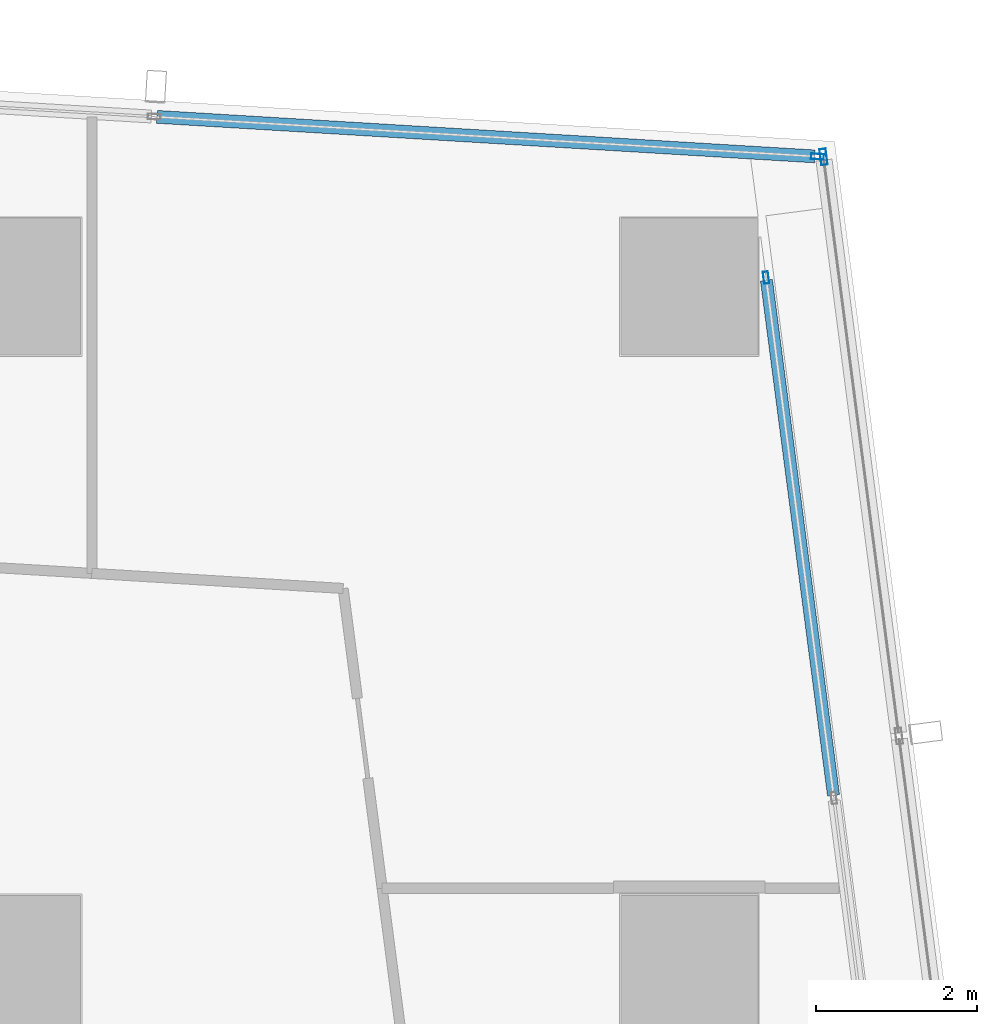
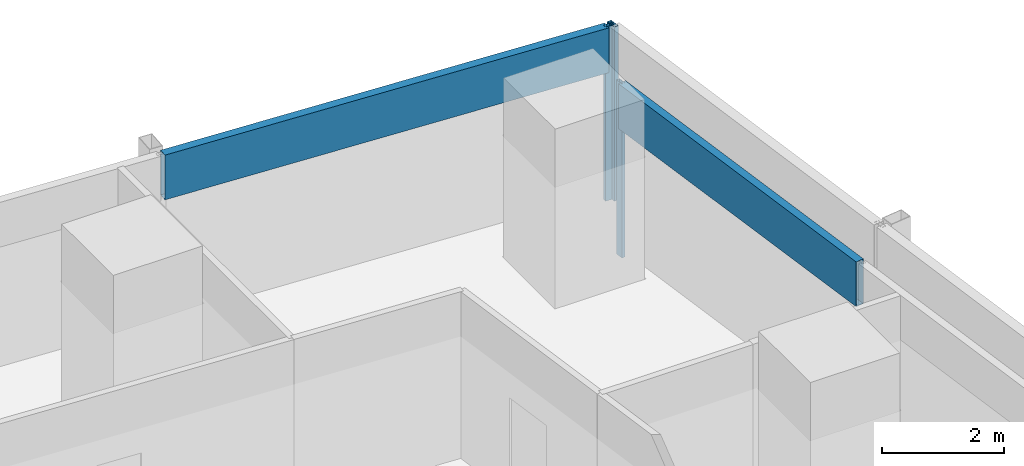
# One storey, part 20 of 40: 5 members, 3 elements without a shape of their own.
"""IFC4 building model written with IfcOpenShell, lengths in metres."""

from ifc_helpers import new_model, si_unit, direction, frame, origin, origin_2d, place, context, subcontext, project, spatial, hollow_rectangle, extrude, material, material_profile, profile_set, type_object, element, aggregate, save


model = new_model("IFC4")

# Units and contexts
model_context = context("Model", 3, precision=1e-05, world=origin(), true_north=direction((0.0, 1.0)))
body_context = subcontext(model_context, "Body", "Model", "MODEL_VIEW")
ifc_project = project(units=[si_unit("LENGTHUNIT", "METRE"), si_unit("AREAUNIT", "SQUARE_METRE"), si_unit("VOLUMEUNIT", "CUBIC_METRE"), si_unit("PLANEANGLEUNIT", "RADIAN"), si_unit("MASSUNIT", "GRAM", prefix="KILO")], contexts=[model_context])

# Site, building, storey
site_placement = place(None, origin())
site = spatial("IfcSite", under=ifc_project, at=site_placement, CompositionType="ELEMENT")
building_placement = place(site_placement, origin())
building = spatial("IfcBuilding", under=site, at=building_placement, Name="Rekha Terrace Tower", CompositionType="ELEMENT")
storey_placement = place(building_placement, frame((0.0, 0.0, 140.300048828125)))
storey = spatial("IfcBuildingStorey", under=building, at=storey_placement, Name="L35", CompositionType="ELEMENT", Elevation=140.300048828125)

# Curtain wall, members
ifc_material_1 = material(Name="Aluminium framing", Category="aluminium")
curtain_wall_type_1 = type_object("IfcCurtainWallType", Name="CW1 double skin inner glazing", PredefinedType="USERDEFINED", material=ifc_material_1)
curtain_wall_1_placement = place(storey_placement, origin())
curtain_wall_1 = element("IfcCurtainWall", 1, at=curtain_wall_1_placement, inside=storey, type_object=curtain_wall_type_1, Name="CW1 double skin inner glazing", ObjectType="DOUBLE SKIN INNER GLAZING", PredefinedType="USERDEFINED")
ifc_material_2 = material(Name="Aluminium mullion section", Category="aluminium")
ifc_material_profile_1 = material_profile(ifc_material_2, hollow_rectangle(XDim=0.06494140625, YDim=0.14990234375, WallThickness=0.00390625, at=origin_2d()), Name="AL RHS 65x150")
ifc_profile_set_1 = profile_set([ifc_material_profile_1], Name="Aluminium mullion section")
member_type_1 = type_object("IfcMemberType", Name="CW1 mullion RHS 65 x 150", PredefinedType="MULLION", material=ifc_profile_set_1)
member_1_placement = place(storey_placement, frame((68.15087890625, 58.910888671875, 0.0), z_axis=(0.0, 0.0, 1.0), x_axis=(-0.991629186237, -0.129118383675, 0.0)))
member_1 = element("IfcMember", 2, at=member_1_placement, type_object=member_type_1, Name="CW1 mullion 3", PredefinedType="MULLION", context=body_context, shape_type="SweptSolid", body=[
    extrude(hollow_rectangle(XDim=0.06494140625, YDim=0.14990234375, WallThickness=0.00390625, at=origin_2d()), origin(), (0.0, 0.0, 1.0), 3.5),
])
ifc_material_3 = material(Name="Insulated aluminium spandrel box", Category="aluminium")
ifc_material_profile_2 = material_profile(ifc_material_3, hollow_rectangle(XDim=0.14990234375, YDim=0.89990234375, WallThickness=0.0029296875, at=origin_2d()), Name="AL SPANDREL BOX 150x900")
ifc_profile_set_2 = profile_set([ifc_material_profile_2], Name="Insulated aluminium spandrel box")
member_type_2 = type_object("IfcMemberType", Name="CW1 spandrel transom 150 x 900", PredefinedType="USERDEFINED", material=ifc_profile_set_2)
member_2_placement = place(storey_placement, frame((68.987060546875, 52.48974609375, 3.050048828125), z_axis=(-0.129102663866, 0.991631232961, 0.0), x_axis=(-0.991631232961, -0.129102663866, 0.0)))
member_2 = element("IfcMember", 3, at=member_2_placement, type_object=member_type_2, Name="CW1 spandrel transom 2", ObjectType="TRANSOM", PredefinedType="USERDEFINED", context=body_context, shape_type="SweptSolid", body=[
    extrude(hollow_rectangle(XDim=0.14990234375, YDim=0.89990234375, WallThickness=0.0029296875, at=origin_2d()), origin(), (0.0, 0.0, 1.0), 6.44287109375),
])
aggregate(curtain_wall_1, [member_1, member_2])

# Curtain wall, member
curtain_wall_type_2 = type_object("IfcCurtainWallType", Name="CW2 double skin outer glazing", PredefinedType="USERDEFINED", material=ifc_material_1)
curtain_wall_2_placement = place(storey_placement, origin())
curtain_wall_2 = element("IfcCurtainWall", 4, at=curtain_wall_2_placement, inside=storey, type_object=curtain_wall_type_2, Name="CW2 double skin outer glazing", ObjectType="DOUBLE SKIN OUTER GLAZING", PredefinedType="USERDEFINED")
ifc_material_profile_3 = material_profile(ifc_material_2, hollow_rectangle(XDim=0.080078125, YDim=0.199951171875, WallThickness=0.00390625, at=origin_2d()), Name="AL RHS 80x200")
ifc_profile_set_3 = profile_set([ifc_material_profile_3], Name="Aluminium mullion section")
member_type_3 = type_object("IfcMemberType", Name="CW2 mullion RHS 80 x 200", PredefinedType="MULLION", material=ifc_profile_set_3)
member_3_placement = place(storey_placement, frame((68.863525390625, 60.408447265625, 0.0), z_axis=(0.0, 0.0, 1.0), x_axis=(-0.991629186244, -0.129118383623, 0.0)))
member_3 = element("IfcMember", 5, at=member_3_placement, type_object=member_type_3, Name="CW2 mullion 3", PredefinedType="MULLION", context=body_context, shape_type="SweptSolid", body=[
    extrude(hollow_rectangle(XDim=0.080078125, YDim=0.199951171875, WallThickness=0.00390625, at=origin_2d()), origin(), (0.0, 0.0, 1.0), 3.5),
])
aggregate(curtain_wall_2, [member_3])

# Curtain wall, members
curtain_wall_type_3 = type_object("IfcCurtainWallType", Name="CW3 north unitised glazing", PredefinedType="USERDEFINED", material=ifc_material_1)
curtain_wall_3_placement = place(storey_placement, origin())
curtain_wall_3 = element("IfcCurtainWall", 6, at=curtain_wall_3_placement, inside=storey, type_object=curtain_wall_type_3, Name="CW3 unitised curtain wall", ObjectType="UNITISED CURTAIN WALL", PredefinedType="USERDEFINED")
ifc_material_profile_4 = material_profile(ifc_material_2, hollow_rectangle(XDim=0.070068359375, YDim=0.159912109375, WallThickness=0.00390625, at=origin_2d()), Name="AL RHS 70x160")
ifc_profile_set_4 = profile_set([ifc_material_profile_4], Name="Aluminium mullion section")
member_type_4 = type_object("IfcMemberType", Name="CW3 mullion RHS 70 x 160", PredefinedType="MULLION", material=ifc_profile_set_4)
member_4_placement = place(storey_placement, frame((68.7880859375, 60.412353515625, 0.0), z_axis=(0.0, 0.0, 1.0), x_axis=(-0.059987926837, -0.998199102701, 0.0)))
member_4 = element("IfcMember", 7, at=member_4_placement, type_object=member_type_4, Name="CW3 mullion 1", PredefinedType="MULLION", context=body_context, shape_type="SweptSolid", body=[
    extrude(hollow_rectangle(XDim=0.070068359375, YDim=0.159912109375, WallThickness=0.00390625, at=origin_2d()), origin(), (0.0, 0.0, 1.0), 3.5),
])
ifc_material_profile_5 = material_profile(ifc_material_3, hollow_rectangle(XDim=0.159912109375, YDim=0.89990234375, WallThickness=0.0029296875, at=origin_2d()), Name="AL SPANDREL BOX 160x900")
ifc_profile_set_5 = profile_set([ifc_material_profile_5], Name="Insulated aluminium spandrel box")
member_type_5 = type_object("IfcMemberType", Name="CW3 spandrel transom 160 x 900", PredefinedType="USERDEFINED", material=ifc_profile_set_5)
member_5_placement = place(storey_placement, frame((68.753173828125, 60.41455078125, 3.050048828125), z_axis=(-0.998198874769, 0.05999171951, 0.0), x_axis=(-0.05999171951, -0.998198874769, 0.0)))
member_5 = element("IfcMember", 8, at=member_5_placement, type_object=member_type_5, Name="CW3 spandrel transom 1", ObjectType="TRANSOM", PredefinedType="USERDEFINED", context=body_context, shape_type="SweptSolid", body=[
    extrude(hollow_rectangle(XDim=0.159912109375, YDim=0.89990234375, WallThickness=0.0029296875, at=origin_2d()), origin(), (0.0, 0.0, 1.0), 8.171630859375),
])
aggregate(curtain_wall_3, [member_4, member_5])

save(model, "model.ifc")
